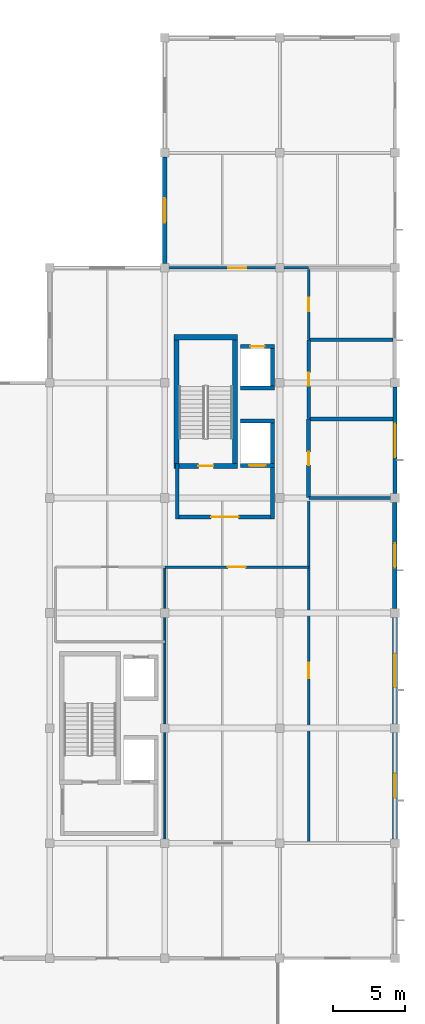
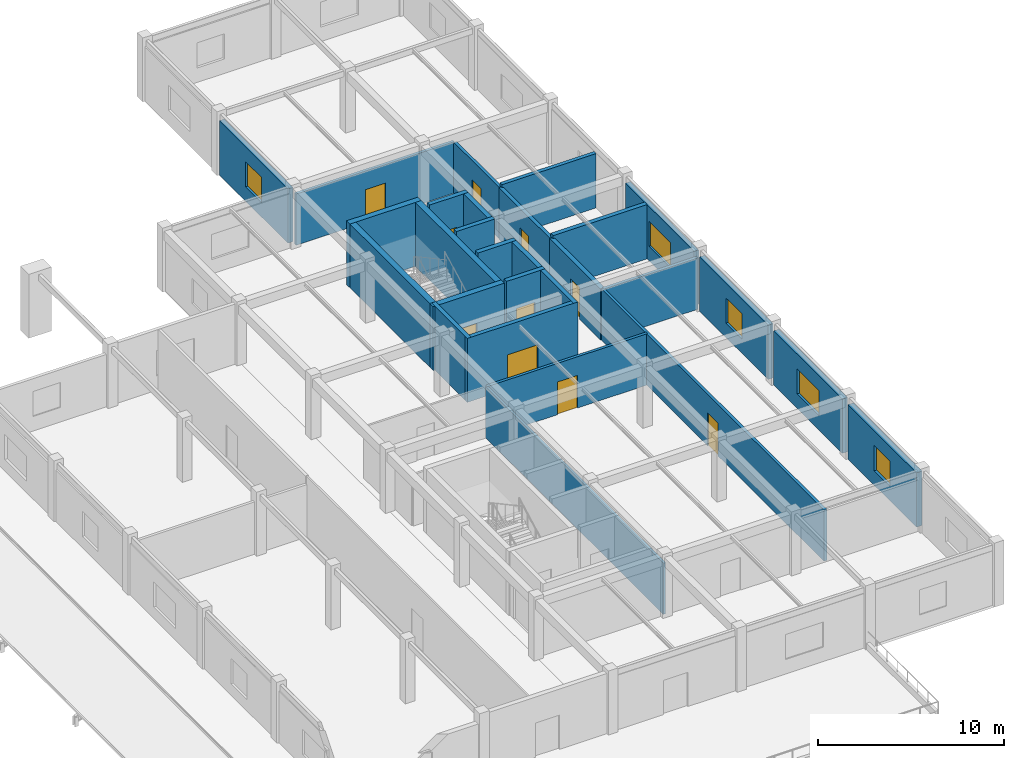
# One storey, part 17 of 27: 28 walls, 10 doors, 5 windows, 15 openings.
"""IFC4 building model written with IfcOpenShell, lengths in metres."""

from ifc_helpers import new_model, si_unit, direction, frame, frame_2d, origin, place, context, subcontext, project, spatial, rectangle, extrude, material, layer, layer_set, type_object, element, fill, save


model = new_model("IFC4")

# Units and contexts
model_context = context("Model", 3, precision=1e-05, world=origin(), true_north=direction((0.0, 1.0)))
body_context = subcontext(model_context, "Body", "Model", "MODEL_VIEW")
ifc_project = project(units=[si_unit("LENGTHUNIT", "METRE"), si_unit("AREAUNIT", "SQUARE_METRE"), si_unit("VOLUMEUNIT", "CUBIC_METRE"), si_unit("PLANEANGLEUNIT", "RADIAN"), si_unit("MASSUNIT", "GRAM", prefix="KILO")], contexts=[model_context])

# Site, building, storey
site_placement = place(None, origin())
site = spatial("IfcSite", under=ifc_project, at=site_placement, CompositionType="ELEMENT")
building_placement = place(site_placement, origin())
building = spatial("IfcBuilding", under=site, at=building_placement, Name="Kenh Van Central Station", CompositionType="ELEMENT")
storey_placement = place(building_placement, frame((0.0, 0.0, 19.199951171875)))
storey = spatial("IfcBuildingStorey", under=building, at=storey_placement, Name="L04", CompositionType="ELEMENT", Elevation=19.199951171875)

# Wall, opening, door
ifc_material_1 = material(Name="Concrete C40/50", Category="concrete")
ifc_layer_1 = layer(ifc_material_1, 0.280029296875, Name="Concrete C40/50")
ifc_layer_set_1 = layer_set([ifc_layer_1], Name="Concrete C40/50")
wall_type_1 = type_object("IfcWallType", Name="WL-CORE-280", PredefinedType="SHEAR", material=ifc_layer_set_1)
wall_1_placement = place(storey_placement, frame((165.25, 50.260009765625, 0.0), z_axis=(0.0, 0.0, 1.0), x_axis=(1.0, 0.0, 0.0)))
wall_1 = element("IfcWall", 1, at=wall_1_placement, inside=storey, type_object=wall_type_1, Name="L04 LIFT-FF2 shaft wall S", PredefinedType="SHEAR", context=body_context, shape_type="SweptSolid", body=[
    extrude(rectangle(XDim=2.3798828125, YDim=0.280029296875, at=frame_2d((1.18994140625, 0.0))), origin(), (0.0, 0.0, 1.0), 4.199951171875),
])
opening_1_placement = place(wall_1_placement, frame((0.614990234375, 0.0, 0.0)))
opening_1 = element("IfcOpeningElement", 2, at=opening_1_placement, cuts=wall_1, Name="Opening LD-FF1", PredefinedType="OPENING", context=body_context, shape_type="SweptSolid", body=[
    extrude(rectangle(XDim=1.14990234375, YDim=2.199951171875, at=frame_2d((0.574951171875, 1.10009765625))), frame((0.0, 0.14990234375, 0.0), z_axis=(0.0, -1.0, 0.0), x_axis=(1.0, 0.0, 0.0)), (0.0, 0.0, 1.0), 0.300048828125),
])
ifc_material_2 = material(Name="Champagne anodised aluminium", Category="aluminium")
door_type_1 = type_object("IfcDoorType", Name="DR-LIFT-1150x2200", OperationType="SLIDING_TO_LEFT", PredefinedType="DOOR", material=ifc_material_2)
door_1_placement = place(opening_1_placement, origin())
door_1 = element("IfcDoor", 3, at=door_1_placement, inside=storey, type_object=door_type_1, Name="L04 LIFT-FF2 sliding landing door", OperationType="SLIDING_TO_LEFT", OverallHeight=2.199951171875, OverallWidth=1.14990234375, PredefinedType="DOOR", context=body_context, shape_type="SweptSolid", body=[
    extrude(rectangle(XDim=1.14990234375, YDim=2.199951171875, at=frame_2d((0.574951171875, 1.10009765625))), frame((0.0, 0.02490234375, 0.0), z_axis=(0.0, -1.0, 0.0), x_axis=(1.0, 0.0, 0.0)), (0.0, 0.0, 1.0), 0.050048828125),
])
fill(opening_1, door_1)

# Walls
wall_2_placement = place(storey_placement, frame((165.25, 53.340087890625, 0.0), z_axis=(0.0, 0.0, 1.0), x_axis=(1.0, 0.0, 0.0)))
element("IfcWall", 4, at=wall_2_placement, inside=storey, type_object=wall_type_1, Name="L04 LIFT-FF2 shaft wall N", PredefinedType="SHEAR", context=body_context, shape_type="SweptSolid", body=[
    extrude(rectangle(XDim=2.3798828125, YDim=0.280029296875, at=frame_2d((1.18994140625, 0.0))), origin(), (0.0, 0.0, 1.0), 4.199951171875),
])
wall_3_placement = place(storey_placement, frame((167.489990234375, 50.39990234375, 0.0), z_axis=(0.0, 0.0, 1.0), x_axis=(0.0, 1.0, 0.0)))
element("IfcWall", 5, at=wall_3_placement, inside=storey, type_object=wall_type_1, Name="L04 LIFT-FF2 shaft wall E", PredefinedType="SHEAR", context=body_context, shape_type="SweptSolid", body=[
    extrude(rectangle(XDim=2.800048828125, YDim=0.280029296875, at=frame_2d((1.39990234375, 0.0))), origin(), (0.0, 0.0, 1.0), 4.199951171875),
])
wall_4_placement = place(storey_placement, frame((165.25, 55.659912109375, 0.0), z_axis=(0.0, 0.0, 1.0), x_axis=(1.0, 0.0, 0.0)))
element("IfcWall", 6, at=wall_4_placement, inside=storey, type_object=wall_type_1, Name="L04 LIFT-OP2 shaft wall S", PredefinedType="SHEAR", context=body_context, shape_type="SweptSolid", body=[
    extrude(rectangle(XDim=2.3798828125, YDim=0.280029296875, at=frame_2d((1.18994140625, 0.0))), origin(), (0.0, 0.0, 1.0), 4.199951171875),
])

# Wall, opening, door
wall_5_placement = place(storey_placement, frame((165.25, 58.5400390625, 0.0), z_axis=(0.0, 0.0, 1.0), x_axis=(1.0, 0.0, 0.0)))
wall_5 = element("IfcWall", 7, at=wall_5_placement, inside=storey, type_object=wall_type_1, Name="L04 LIFT-OP2 shaft wall N", PredefinedType="SHEAR", context=body_context, shape_type="SweptSolid", body=[
    extrude(rectangle(XDim=2.3798828125, YDim=0.280029296875, at=frame_2d((1.18994140625, 0.0))), origin(), (0.0, 0.0, 1.0), 4.199951171875),
])
opening_2_placement = place(wall_5_placement, frame((0.68994140625, 0.0, 0.0)))
opening_2 = element("IfcOpeningElement", 8, at=opening_2_placement, cuts=wall_5, Name="Opening LD-OP1", PredefinedType="OPENING", context=body_context, shape_type="SweptSolid", body=[
    extrude(rectangle(XDim=1.0, YDim=2.14990234375, at=frame_2d((0.5, 1.074951171875))), frame((0.0, 0.14990234375, 0.0), z_axis=(0.0, -1.0, 0.0), x_axis=(1.0, 0.0, 0.0)), (0.0, 0.0, 1.0), 0.300048828125),
])
door_type_2 = type_object("IfcDoorType", Name="DR-LIFT-1000x2150", OperationType="SLIDING_TO_LEFT", PredefinedType="DOOR", material=ifc_material_2)
door_2_placement = place(opening_2_placement, origin())
door_2 = element("IfcDoor", 9, at=door_2_placement, inside=storey, type_object=door_type_2, Name="L04 LIFT-OP2 sliding landing door", OperationType="SLIDING_TO_LEFT", OverallHeight=2.14990234375, OverallWidth=1.0, PredefinedType="DOOR", context=body_context, shape_type="SweptSolid", body=[
    extrude(rectangle(XDim=1.0, YDim=2.14990234375, at=frame_2d((0.5, 1.074951171875))), frame((0.0, 0.02490234375, 0.0), z_axis=(0.0, -1.0, 0.0), x_axis=(1.0, 0.0, 0.0)), (0.0, 0.0, 1.0), 0.050048828125),
])
fill(opening_2, door_2)

# Wall
wall_6_placement = place(storey_placement, frame((167.489990234375, 55.800048828125, 0.0), z_axis=(0.0, 0.0, 1.0), x_axis=(0.0, 1.0, 0.0)))
element("IfcWall", 10, at=wall_6_placement, inside=storey, type_object=wall_type_1, Name="L04 LIFT-OP2 shaft wall E", PredefinedType="SHEAR", context=body_context, shape_type="SweptSolid", body=[
    extrude(rectangle(XDim=2.599853515625, YDim=0.280029296875, at=frame_2d((1.2998046875, 0.0))), origin(), (0.0, 0.0, 1.0), 4.199951171875),
])

# Wall, opening, door
ifc_layer_2 = layer(ifc_material_1, 0.360107421875, Name="Concrete C40/50")
ifc_layer_set_2 = layer_set([ifc_layer_2], Name="Concrete C40/50")
wall_type_2 = type_object("IfcWallType", Name="WL-CORE-360", PredefinedType="SHEAR", material=ifc_layer_set_2)
wall_7_placement = place(storey_placement, frame((160.639892578125, 50.219970703125, 0.0), z_axis=(0.0, 0.0, 1.0), x_axis=(1.0, 0.0, 0.0)))
wall_7 = element("IfcWall", 11, at=wall_7_placement, inside=storey, type_object=wall_type_2, Name="L04 CORE-10 stair wall S", PredefinedType="SHEAR", context=body_context, shape_type="SweptSolid", body=[
    extrude(rectangle(XDim=4.420166015625, YDim=0.360107421875, at=frame_2d((2.2099609375, 0.0))), origin(), (0.0, 0.0, 1.0), 4.199951171875),
])
opening_3_placement = place(wall_7_placement, frame((1.68505859375, 0.0, 0.0)))
opening_3 = element("IfcOpeningElement", 12, at=opening_3_placement, cuts=wall_7, Name="Opening D-FD60", PredefinedType="OPENING", context=body_context, shape_type="SweptSolid", body=[
    extrude(rectangle(XDim=1.050048828125, YDim=2.14990234375, at=frame_2d((0.52490234375, 1.074951171875))), frame((0.0, 0.18994140625, 0.0), z_axis=(0.0, -1.0, 0.0), x_axis=(1.0, 0.0, 0.0)), (0.0, 0.0, 1.0), 0.380126953125),
])
door_type_3 = type_object("IfcDoorType", Name="DR-FIRE-1050x2150", OperationType="NOTDEFINED", PredefinedType="DOOR", material=ifc_material_2)
door_3_placement = place(opening_3_placement, origin())
door_3 = element("IfcDoor", 13, at=door_3_placement, inside=storey, type_object=door_type_3, Name="L04 ST-10 stair door", OperationType="SINGLE_SWING_RIGHT", OverallHeight=2.14990234375, OverallWidth=1.050048828125, PredefinedType="DOOR", context=body_context, shape_type="SweptSolid", body=[
    extrude(rectangle(XDim=1.050048828125, YDim=2.14990234375, at=frame_2d((0.52490234375, 1.074951171875))), frame((0.0, 0.02490234375, 0.0), z_axis=(0.0, -1.0, 0.0), x_axis=(1.0, 0.0, 0.0)), (0.0, 0.0, 1.0), 0.050048828125),
])
fill(opening_3, door_3)

# Walls
wall_8_placement = place(storey_placement, frame((160.639892578125, 59.179931640625, 0.0), z_axis=(0.0, 0.0, 1.0), x_axis=(1.0, 0.0, 0.0)))
element("IfcWall", 14, at=wall_8_placement, inside=storey, type_object=wall_type_2, Name="L04 CORE-10 stair wall N", PredefinedType="SHEAR", context=body_context, shape_type="SweptSolid", body=[
    extrude(rectangle(XDim=4.420166015625, YDim=0.360107421875, at=frame_2d((2.2099609375, 0.0))), origin(), (0.0, 0.0, 1.0), 4.199951171875),
])
for number, where, z_axis, x_axis, name in (
    (15, (160.820068359375, 50.39990234375, 0.0), (0.0, 0.0, 1.0), (0.0, 1.0, 0.0), "L04 CORE-10 stair wall W"),
    (16, (164.8798828125, 50.39990234375, 0.0), (0.0, 0.0, 1.0), (0.0, 1.0, 0.0), "L04 CORE-10 stair wall E"),
):
    element("IfcWall", number, at=place(storey_placement, frame(where, z_axis=z_axis, x_axis=x_axis)), inside=storey, type_object=wall_type_2, Name=name, PredefinedType="SHEAR", context=body_context, shape_type="SweptSolid", body=[
        extrude(rectangle(XDim=8.60009765625, YDim=0.360107421875, at=frame_2d((4.300048828125, 0.0))), origin(), (0.0, 0.0, 1.0), 4.199951171875),
    ])

# Wall, opening, window
ifc_material_3 = material(Name="Saigon buff sandstone and terracotta masonry", Category="masonry")
ifc_layer_3 = layer(ifc_material_3, 0.2900390625, Name="Saigon buff sandstone and terracotta masonry")
ifc_layer_set_3 = layer_set([ifc_layer_3], Name="Saigon buff sandstone and terracotta masonry")
wall_type_3 = type_object("IfcWallType", Name="WL-EXT-290", PredefinedType="STANDARD", material=ifc_layer_set_3)
wall_9_placement = place(storey_placement, frame((176.0, 48.300048828125, 0.0), z_axis=(0.0, 0.0, 1.0), x_axis=(0.0, 1.0, 0.0)))
wall_9 = element("IfcWall", 17, at=wall_9_placement, inside=storey, type_object=wall_type_3, Name="L04 exterior wall 140", PredefinedType="STANDARD", context=body_context, shape_type="SweptSolid", body=[
    extrude(rectangle(XDim=7.39990234375, YDim=0.2900390625, at=frame_2d((3.699951171875, 0.0))), origin(), (0.0, 0.0, 1.0), 3.570068359375),
])
opening_4_placement = place(wall_9_placement, frame((2.52490234375, 0.0, 0.949951171875)))
opening_4 = element("IfcOpeningElement", 18, at=opening_4_placement, cuts=wall_9, Name="Opening WN-20", PredefinedType="OPENING", context=body_context, shape_type="SweptSolid", body=[
    extrude(rectangle(XDim=2.35009765625, YDim=1.64990234375, at=frame_2d((1.175048828125, 0.824951171875))), frame((0.0, 0.155029296875, 0.0), z_axis=(0.0, -1.0, 0.0), x_axis=(1.0, 0.0, 0.0)), (0.0, 0.0, 1.0), 0.31005859375),
])
ifc_material_4 = material(Name="Double-glazed low-E laminated solar glass", Category="glass")
window_type_1 = type_object("IfcWindowType", Name="WN-OP04-2350x1650", PartitioningType="DOUBLE_PANEL_VERTICAL", PredefinedType="WINDOW", material=ifc_material_4)
window_1_placement = place(opening_4_placement, origin())
window_1 = element("IfcWindow", 19, at=window_1_placement, inside=storey, type_object=window_type_1, Name="L04 window 106", OverallHeight=1.64990234375, OverallWidth=2.35009765625, PartitioningType="SINGLE_PANEL", PredefinedType="WINDOW", context=body_context, shape_type="SweptSolid", body=[
    extrude(rectangle(XDim=2.35009765625, YDim=1.64990234375, at=frame_2d((1.175048828125, 0.824951171875))), frame((0.0, 0.030029296875, 0.0), z_axis=(0.0, -1.0, 0.0), x_axis=(1.0, 0.0, 0.0)), (0.0, 0.0, 1.0), 0.06005859375),
])
fill(opening_4, window_1)

ifc_layer_4 = layer(ifc_material_3, 0.31005859375, Name="Saigon buff sandstone and terracotta masonry")
ifc_layer_set_4 = layer_set([ifc_layer_4], Name="Saigon buff sandstone and terracotta masonry")
wall_type_4 = type_object("IfcWallType", Name="WL-EXT-310", PredefinedType="STANDARD", material=ifc_layer_set_4)
wall_10_placement = place(storey_placement, frame((176.0, 40.300048828125, 0.0), z_axis=(0.0, 0.0, 1.0), x_axis=(0.0, 1.0, 0.0)))
wall_10 = element("IfcWall", 20, at=wall_10_placement, inside=storey, type_object=wall_type_4, Name="L04 exterior wall 139", PredefinedType="STANDARD", context=body_context, shape_type="SweptSolid", body=[
    extrude(rectangle(XDim=7.39990234375, YDim=0.31005859375, at=frame_2d((3.699951171875, 0.0))), origin(), (0.0, 0.0, 1.0), 3.570068359375),
])
opening_5_placement = place(wall_10_placement, frame((2.85009765625, 0.0, 0.949951171875)))
opening_5 = element("IfcOpeningElement", 21, at=opening_5_placement, cuts=wall_10, Name="Opening WN-21", PredefinedType="OPENING", context=body_context, shape_type="SweptSolid", body=[
    extrude(rectangle(XDim=1.699951171875, YDim=1.64990234375, at=frame_2d((0.85009765625, 0.824951171875))), frame((0.0, 0.1650390625, 0.0), z_axis=(0.0, -1.0, 0.0), x_axis=(1.0, 0.0, 0.0)), (0.0, 0.0, 1.0), 0.330078125),
])
window_type_2 = type_object("IfcWindowType", Name="WN-OP04-1700x1650", PartitioningType="SINGLE_PANEL", PredefinedType="WINDOW", material=ifc_material_4)
window_2_placement = place(opening_5_placement, origin())
window_2 = element("IfcWindow", 22, at=window_2_placement, inside=storey, type_object=window_type_2, Name="L04 window 105", OverallHeight=1.64990234375, OverallWidth=1.699951171875, PartitioningType="SINGLE_PANEL", PredefinedType="WINDOW", context=body_context, shape_type="SweptSolid", body=[
    extrude(rectangle(XDim=1.699951171875, YDim=1.64990234375, at=frame_2d((0.85009765625, 0.824951171875))), frame((0.0, 0.030029296875, 0.0), z_axis=(0.0, -1.0, 0.0), x_axis=(1.0, 0.0, 0.0)), (0.0, 0.0, 1.0), 0.06005859375),
])
fill(opening_5, window_2)

wall_11_placement = place(storey_placement, frame((160.0, 71.699951171875, 0.0), z_axis=(0.0, 0.0, 1.0), x_axis=(0.0, -1.0, 0.0)))
wall_11 = element("IfcWall", 23, at=wall_11_placement, inside=storey, type_object=wall_type_4, Name="L04 exterior wall 147", PredefinedType="STANDARD", context=body_context, shape_type="SweptSolid", body=[
    extrude(rectangle(XDim=7.39990234375, YDim=0.31005859375, at=frame_2d((3.699951171875, 0.0))), origin(), (0.0, 0.0, 1.0), 3.570068359375),
])
opening_6_placement = place(wall_11_placement, frame((2.85009765625, 0.0, 0.949951171875)))
opening_6 = element("IfcOpeningElement", 24, at=opening_6_placement, cuts=wall_11, Name="Opening WN-21", PredefinedType="OPENING", context=body_context, shape_type="SweptSolid", body=[
    extrude(rectangle(XDim=1.699951171875, YDim=1.64990234375, at=frame_2d((0.85009765625, 0.824951171875))), frame((0.0, 0.1650390625, 0.0), z_axis=(0.0, -1.0, 0.0), x_axis=(1.0, 0.0, 0.0)), (0.0, 0.0, 1.0), 0.330078125),
])
window_3_placement = place(opening_6_placement, origin())
window_3 = element("IfcWindow", 25, at=window_3_placement, inside=storey, type_object=window_type_2, Name="L04 window 113", OverallHeight=1.64990234375, OverallWidth=1.699951171875, PartitioningType="SINGLE_PANEL", PredefinedType="WINDOW", context=body_context, shape_type="SweptSolid", body=[
    extrude(rectangle(XDim=1.699951171875, YDim=1.64990234375, at=frame_2d((0.85009765625, 0.824951171875))), frame((0.0, 0.030029296875, 0.0), z_axis=(0.0, -1.0, 0.0), x_axis=(1.0, 0.0, 0.0)), (0.0, 0.0, 1.0), 0.06005859375),
])
fill(opening_6, window_3)

ifc_layer_5 = layer(ifc_material_3, 0.330078125, Name="Saigon buff sandstone and terracotta masonry")
ifc_layer_set_5 = layer_set([ifc_layer_5], Name="Saigon buff sandstone and terracotta masonry")
wall_type_5 = type_object("IfcWallType", Name="WL-EXT-330", PredefinedType="STANDARD", material=ifc_layer_set_5)
wall_12_placement = place(storey_placement, frame((176.0, 32.300048828125, 0.0), z_axis=(0.0, 0.0, 1.0), x_axis=(0.0, 1.0, 0.0)))
wall_12 = element("IfcWall", 26, at=wall_12_placement, inside=storey, type_object=wall_type_5, Name="L04 exterior wall 138", PredefinedType="STANDARD", context=body_context, shape_type="SweptSolid", body=[
    extrude(rectangle(XDim=7.39990234375, YDim=0.330078125, at=frame_2d((3.699951171875, 0.0))), origin(), (0.0, 0.0, 1.0), 3.570068359375),
])
opening_7_placement = place(wall_12_placement, frame((2.52490234375, 0.0, 0.949951171875)))
opening_7 = element("IfcOpeningElement", 27, at=opening_7_placement, cuts=wall_12, Name="Opening WN-20", PredefinedType="OPENING", context=body_context, shape_type="SweptSolid", body=[
    extrude(rectangle(XDim=2.35009765625, YDim=1.64990234375, at=frame_2d((1.175048828125, 0.824951171875))), frame((0.0, 0.175048828125, 0.0), z_axis=(0.0, -1.0, 0.0), x_axis=(1.0, 0.0, 0.0)), (0.0, 0.0, 1.0), 0.35009765625),
])
window_4_placement = place(opening_7_placement, origin())
window_4 = element("IfcWindow", 28, at=window_4_placement, inside=storey, type_object=window_type_1, Name="L04 window 104", OverallHeight=1.64990234375, OverallWidth=2.35009765625, PartitioningType="SINGLE_PANEL", PredefinedType="WINDOW", context=body_context, shape_type="SweptSolid", body=[
    extrude(rectangle(XDim=2.35009765625, YDim=1.64990234375, at=frame_2d((1.175048828125, 0.824951171875))), frame((0.0, 0.030029296875, 0.0), z_axis=(0.0, -1.0, 0.0), x_axis=(1.0, 0.0, 0.0)), (0.0, 0.0, 1.0), 0.06005859375),
])
fill(opening_7, window_4)

ifc_layer_6 = layer(ifc_material_3, 0.35009765625, Name="Saigon buff sandstone and terracotta masonry")
ifc_layer_set_6 = layer_set([ifc_layer_6], Name="Saigon buff sandstone and terracotta masonry")
wall_type_6 = type_object("IfcWallType", Name="WL-EXT-350", PredefinedType="STANDARD", material=ifc_layer_set_6)
wall_13_placement = place(storey_placement, frame((176.0, 24.300048828125, 0.0), z_axis=(0.0, 0.0, 1.0), x_axis=(0.0, 1.0, 0.0)))
wall_13 = element("IfcWall", 29, at=wall_13_placement, inside=storey, type_object=wall_type_6, Name="L04 exterior wall 137", PredefinedType="STANDARD", context=body_context, shape_type="SweptSolid", body=[
    extrude(rectangle(XDim=7.39990234375, YDim=0.35009765625, at=frame_2d((3.699951171875, 0.0))), origin(), (0.0, 0.0, 1.0), 3.570068359375),
])
opening_8_placement = place(wall_13_placement, frame((2.85009765625, 0.0, 0.949951171875)))
opening_8 = element("IfcOpeningElement", 30, at=opening_8_placement, cuts=wall_13, Name="Opening WN-21", PredefinedType="OPENING", context=body_context, shape_type="SweptSolid", body=[
    extrude(rectangle(XDim=1.699951171875, YDim=1.64990234375, at=frame_2d((0.85009765625, 0.824951171875))), frame((0.0, 0.18505859375, 0.0), z_axis=(0.0, -1.0, 0.0), x_axis=(1.0, 0.0, 0.0)), (0.0, 0.0, 1.0), 0.3701171875),
])
window_5_placement = place(opening_8_placement, origin())
window_5 = element("IfcWindow", 31, at=window_5_placement, inside=storey, type_object=window_type_2, Name="L04 window 103", OverallHeight=1.64990234375, OverallWidth=1.699951171875, PartitioningType="SINGLE_PANEL", PredefinedType="WINDOW", context=body_context, shape_type="SweptSolid", body=[
    extrude(rectangle(XDim=1.699951171875, YDim=1.64990234375, at=frame_2d((0.85009765625, 0.824951171875))), frame((0.0, 0.030029296875, 0.0), z_axis=(0.0, -1.0, 0.0), x_axis=(1.0, 0.0, 0.0)), (0.0, 0.0, 1.0), 0.06005859375),
])
fill(opening_8, window_5)

# Wall, opening, door
ifc_layer_7 = layer(ifc_material_1, 0.260009765625, Name="Concrete C40/50")
ifc_layer_set_7 = layer_set([ifc_layer_7], Name="Concrete C40/50")
wall_type_7 = type_object("IfcWallType", Name="WL-FIRE-260", PredefinedType="SHEAR", material=ifc_layer_set_7)
wall_14_placement = place(storey_placement, frame((167.610107421875, 46.669921875, 0.0), z_axis=(0.0, 0.0, 1.0), x_axis=(-1.0, 0.0, 0.0)))
wall_14 = element("IfcWall", 32, at=wall_14_placement, inside=storey, type_object=wall_type_7, Name="L04 CORE-10 lobby wall S", PredefinedType="SHEAR", context=body_context, shape_type="SweptSolid", body=[
    extrude(rectangle(XDim=6.8701171875, YDim=0.260009765625, at=frame_2d((3.43505859375, 0.0))), origin(), (0.0, 0.0, 1.0), 4.199951171875),
])
opening_9_placement = place(wall_14_placement, frame((2.485107421875, 0.0, 0.0)))
opening_9 = element("IfcOpeningElement", 33, at=opening_9_placement, cuts=wall_14, Name="Opening D-FD60W", PredefinedType="OPENING", context=body_context, shape_type="SweptSolid", body=[
    extrude(rectangle(XDim=1.89990234375, YDim=2.25, at=frame_2d((0.949951171875, 1.125))), frame((0.0, 0.139892578125, 0.0), z_axis=(0.0, -1.0, 0.0), x_axis=(1.0, 0.0, 0.0)), (0.0, 0.0, 1.0), 0.280029296875),
])
door_type_4 = type_object("IfcDoorType", Name="DR-FIRE-1900x2250", OperationType="DOUBLE_DOOR_SINGLE_SWING", PredefinedType="DOOR", material=ifc_material_2)
door_4_placement = place(opening_9_placement, origin())
door_4 = element("IfcDoor", 34, at=door_4_placement, inside=storey, type_object=door_type_4, Name="L04 CORE-10 smoke-stop lobby door", OperationType="DOUBLE_DOOR_SINGLE_SWING", OverallHeight=2.25, OverallWidth=1.89990234375, PredefinedType="DOOR", context=body_context, shape_type="SweptSolid", body=[
    extrude(rectangle(XDim=1.89990234375, YDim=2.25, at=frame_2d((0.949951171875, 1.125))), frame((0.0, 0.02490234375, 0.0), z_axis=(0.0, -1.0, 0.0), x_axis=(1.0, 0.0, 0.0)), (0.0, 0.0, 1.0), 0.050048828125),
])
fill(opening_9, door_4)

# Walls
for number, where, z_axis, x_axis, name in (
    (35, (160.8701171875, 46.5400390625, 0.0), (0.0, 0.0, 1.0), (0.0, 1.0, 0.0), "L04 CORE-10 lobby wall W"),
    (36, (167.47998046875, 46.5400390625, 0.0), (0.0, 0.0, 1.0), (0.0, 1.0, 0.0), "L04 CORE-10 lobby wall E"),
):
    element("IfcWall", number, at=place(storey_placement, frame(where, z_axis=z_axis, x_axis=x_axis)), inside=storey, type_object=wall_type_7, Name=name, PredefinedType="SHEAR", context=body_context, shape_type="SweptSolid", body=[
        extrude(rectangle(XDim=3.85986328125, YDim=0.260009765625, at=frame_2d((1.929931640625, 0.0))), origin(), (0.0, 0.0, 1.0), 4.199951171875),
    ])
ifc_material_5 = material(Name="Lightweight acoustic masonry blockwork", Category="masonry")
ifc_layer_8 = layer(ifc_material_5, 0.135009765625, Name="Lightweight acoustic masonry blockwork")
ifc_layer_set_8 = layer_set([ifc_layer_8], Name="Lightweight acoustic masonry blockwork")
wall_type_8 = type_object("IfcWallType", Name="WL-PART-135", PredefinedType="PARTITIONING", material=ifc_layer_set_8)
wall_15_placement = place(storey_placement, frame((160.0, 24.02001953125, 0.0), z_axis=(0.0, 0.0, 1.0), x_axis=(0.0, 1.0, 0.0)))
element("IfcWall", 37, at=wall_15_placement, inside=storey, type_object=wall_type_8, Name="L04 interior wall 0192", PredefinedType="PARTITIONING", context=body_context, shape_type="SweptSolid", body=[
    extrude(rectangle(XDim=19.159912109375, YDim=0.135009765625, at=frame_2d((9.580078125, 0.0))), origin(), (0.0, 0.0, 1.0), 3.3701171875),
])

# Wall, opening, door
ifc_layer_9 = layer(ifc_material_5, 0.175048828125, Name="Lightweight acoustic masonry blockwork")
ifc_layer_set_9 = layer_set([ifc_layer_9], Name="Lightweight acoustic masonry blockwork")
wall_type_9 = type_object("IfcWallType", Name="WL-PART-175", PredefinedType="PARTITIONING", material=ifc_layer_set_9)
wall_16_placement = place(storey_placement, frame((170.0, 24.02001953125, 0.0), z_axis=(0.0, 0.0, 1.0), x_axis=(0.0, 1.0, 0.0)))
wall_16 = element("IfcWall", 38, at=wall_16_placement, inside=storey, type_object=wall_type_9, Name="L04 interior wall 0196", PredefinedType="PARTITIONING", context=body_context, shape_type="SweptSolid", body=[
    extrude(rectangle(XDim=23.9599609375, YDim=0.175048828125, at=frame_2d((11.97998046875, 0.0))), origin(), (0.0, 0.0, 1.0), 3.3701171875),
])
opening_10_placement = place(wall_16_placement, frame((11.43994140625, 0.0, 0.0)))
opening_10 = element("IfcOpeningElement", 39, at=opening_10_placement, cuts=wall_16, Name="Opening D-IN05", PredefinedType="OPENING", context=body_context, shape_type="SweptSolid", body=[
    extrude(rectangle(XDim=1.080078125, YDim=2.14990234375, at=frame_2d((0.5400390625, 1.074951171875))), frame((0.0, 0.097412109375, 0.0), z_axis=(0.0, -1.0, 0.0), x_axis=(1.0, 0.0, 0.0)), (0.0, 0.0, 1.0), 0.195068359375),
])
ifc_material_6 = material(Name="Architectural hardwood timber", Category="wood")
door_type_5 = type_object("IfcDoorType", Name="DR-INT-1080x2150", OperationType="NOTDEFINED", PredefinedType="DOOR", material=ifc_material_6)
door_5_placement = place(opening_10_placement, origin())
door_5 = element("IfcDoor", 40, at=door_5_placement, inside=storey, type_object=door_type_5, Name="L04 interior door 0107", OperationType="SINGLE_SWING_RIGHT", OverallHeight=2.14990234375, OverallWidth=1.080078125, PredefinedType="DOOR", context=body_context, shape_type="SweptSolid", body=[
    extrude(rectangle(XDim=1.080078125, YDim=2.14990234375, at=frame_2d((0.5400390625, 1.074951171875))), frame((0.0, 0.02490234375, 0.0), z_axis=(0.0, -1.0, 0.0), x_axis=(1.0, 0.0, 0.0)), (0.0, 0.0, 1.0), 0.050048828125),
])
fill(opening_10, door_5)

wall_17_placement = place(storey_placement, frame((160.1201171875, 64.0, 0.0), z_axis=(0.0, 0.0, 1.0), x_axis=(1.0, 0.0, 0.0)))
wall_17 = element("IfcWall", 41, at=wall_17_placement, inside=storey, type_object=wall_type_9, Name="L04 interior wall 0203", PredefinedType="PARTITIONING", context=body_context, shape_type="SweptSolid", body=[
    extrude(rectangle(XDim=9.85986328125, YDim=0.175048828125, at=frame_2d((4.929931640625, 0.0))), origin(), (0.0, 0.0, 1.0), 3.3701171875),
])
opening_11_placement = place(wall_17_placement, frame((4.304931640625, 0.0, 0.0)))
opening_11 = element("IfcOpeningElement", 42, at=opening_11_placement, cuts=wall_17, Name="Opening D-IN04", PredefinedType="OPENING", context=body_context, shape_type="SweptSolid", body=[
    extrude(rectangle(XDim=1.25, YDim=2.14990234375, at=frame_2d((0.625, 1.074951171875))), frame((0.0, 0.097412109375, 0.0), z_axis=(0.0, -1.0, 0.0), x_axis=(1.0, 0.0, 0.0)), (0.0, 0.0, 1.0), 0.195068359375),
])
door_type_6 = type_object("IfcDoorType", Name="DR-INT-1250x2150", OperationType="NOTDEFINED", PredefinedType="DOOR", material=ifc_material_6)
door_6_placement = place(opening_11_placement, origin())
door_6 = element("IfcDoor", 43, at=door_6_placement, inside=storey, type_object=door_type_6, Name="L04 interior door 0111", OperationType="SINGLE_SWING_RIGHT", OverallHeight=2.14990234375, OverallWidth=1.25, PredefinedType="DOOR", context=body_context, shape_type="SweptSolid", body=[
    extrude(rectangle(XDim=1.25, YDim=2.14990234375, at=frame_2d((0.625, 1.074951171875))), frame((0.0, 0.02490234375, 0.0), z_axis=(0.0, -1.0, 0.0), x_axis=(1.0, 0.0, 0.0)), (0.0, 0.0, 1.0), 0.050048828125),
])
fill(opening_11, door_6)

wall_18_placement = place(storey_placement, frame((160.02001953125, 43.199951171875, 0.0), z_axis=(0.0, 0.0, 1.0), x_axis=(1.0, 0.0, 0.0)))
wall_18 = element("IfcWall", 44, at=wall_18_placement, inside=storey, type_object=wall_type_9, Name="L04 interior wall 0210", PredefinedType="PARTITIONING", context=body_context, shape_type="SweptSolid", body=[
    extrude(rectangle(XDim=9.9599609375, YDim=0.175048828125, at=frame_2d((4.97998046875, 0.0))), origin(), (0.0, 0.0, 1.0), 3.3701171875),
])
opening_12_placement = place(wall_18_placement, frame((4.35498046875, 0.0, 0.0)))
opening_12 = element("IfcOpeningElement", 45, at=opening_12_placement, cuts=wall_18, Name="Opening D-IN04", PredefinedType="OPENING", context=body_context, shape_type="SweptSolid", body=[
    extrude(rectangle(XDim=1.25, YDim=2.14990234375, at=frame_2d((0.625, 1.074951171875))), frame((0.0, 0.097412109375, 0.0), z_axis=(0.0, -1.0, 0.0), x_axis=(1.0, 0.0, 0.0)), (0.0, 0.0, 1.0), 0.195068359375),
])
door_7_placement = place(opening_12_placement, origin())
door_7 = element("IfcDoor", 46, at=door_7_placement, inside=storey, type_object=door_type_6, Name="L04 interior door 0117", OperationType="SINGLE_SWING_RIGHT", OverallHeight=2.14990234375, OverallWidth=1.25, PredefinedType="DOOR", context=body_context, shape_type="SweptSolid", body=[
    extrude(rectangle(XDim=1.25, YDim=2.14990234375, at=frame_2d((0.625, 1.074951171875))), frame((0.0, 0.02490234375, 0.0), z_axis=(0.0, -1.0, 0.0), x_axis=(1.0, 0.0, 0.0)), (0.0, 0.0, 1.0), 0.050048828125),
])
fill(opening_12, door_7)

# Wall
ifc_layer_10 = layer(ifc_material_5, 0.18505859375, Name="Lightweight acoustic masonry blockwork")
ifc_layer_set_10 = layer_set([ifc_layer_10], Name="Lightweight acoustic masonry blockwork")
wall_type_10 = type_object("IfcWallType", Name="WL-PLMB-185", PredefinedType="PLUMBINGWALL", material=ifc_layer_set_10)
wall_19_placement = place(storey_placement, frame((170.02001953125, 48.0, 0.0), z_axis=(0.0, 0.0, 1.0), x_axis=(1.0, 0.0, 0.0)))
element("IfcWall", 47, at=wall_19_placement, inside=storey, type_object=wall_type_10, Name="L04 interior wall 0197", PredefinedType="PLUMBINGWALL", context=body_context, shape_type="SweptSolid", body=[
    extrude(rectangle(XDim=5.85986328125, YDim=0.18505859375, at=frame_2d((2.929931640625, 0.0))), origin(), (0.0, 0.0, 1.0), 3.3701171875),
])

# Wall, opening, door
wall_20_placement = place(storey_placement, frame((170.0, 59.02001953125, 0.0), z_axis=(0.0, 0.0, 1.0), x_axis=(0.0, 1.0, 0.0)))
wall_20 = element("IfcWall", 48, at=wall_20_placement, inside=storey, type_object=wall_type_10, Name="L04 interior wall 0200", PredefinedType="PLUMBINGWALL", context=body_context, shape_type="SweptSolid", body=[
    extrude(rectangle(XDim=4.85986328125, YDim=0.18505859375, at=frame_2d((2.429931640625, 0.0))), origin(), (0.0, 0.0, 1.0), 3.3701171875),
])
opening_13_placement = place(wall_20_placement, frame((1.949951171875, 0.0, 0.0)))
opening_13 = element("IfcOpeningElement", 49, at=opening_13_placement, cuts=wall_20, Name="Opening D-IN08", PredefinedType="OPENING", context=body_context, shape_type="SweptSolid", body=[
    extrude(rectangle(XDim=0.9599609375, YDim=2.10009765625, at=frame_2d((0.47998046875, 1.050048828125))), frame((0.0, 0.1025390625, 0.0), z_axis=(0.0, -1.0, 0.0), x_axis=(1.0, 0.0, 0.0)), (0.0, 0.0, 1.0), 0.205078125),
])
door_type_7 = type_object("IfcDoorType", Name="DR-INT-960x2100", OperationType="NOTDEFINED", PredefinedType="DOOR", material=ifc_material_6)
door_8_placement = place(opening_13_placement, origin())
door_8 = element("IfcDoor", 50, at=door_8_placement, inside=storey, type_object=door_type_7, Name="L04 interior door 0110", OperationType="SINGLE_SWING_LEFT", OverallHeight=2.10009765625, OverallWidth=0.9599609375, PredefinedType="DOOR", context=body_context, shape_type="SweptSolid", body=[
    extrude(rectangle(XDim=0.9599609375, YDim=2.10009765625, at=frame_2d((0.47998046875, 1.050048828125))), frame((0.0, 0.02490234375, 0.0), z_axis=(0.0, -1.0, 0.0), x_axis=(1.0, 0.0, 0.0)), (0.0, 0.0, 1.0), 0.050048828125),
])
fill(opening_13, door_8)

ifc_layer_11 = layer(ifc_material_5, 0.22998046875, Name="Lightweight acoustic masonry blockwork")
ifc_layer_set_11 = layer_set([ifc_layer_11], Name="Lightweight acoustic masonry blockwork")
wall_type_11 = type_object("IfcWallType", Name="WL-PLMB-230", PredefinedType="PLUMBINGWALL", material=ifc_layer_set_11)
wall_21_placement = place(storey_placement, frame((170.0, 53.52001953125, 0.0), z_axis=(0.0, 0.0, 1.0), x_axis=(0.0, 1.0, 0.0)))
wall_21 = element("IfcWall", 51, at=wall_21_placement, inside=storey, type_object=wall_type_11, Name="L04 interior wall 0199", PredefinedType="PLUMBINGWALL", context=body_context, shape_type="SweptSolid", body=[
    extrude(rectangle(XDim=5.4599609375, YDim=0.22998046875, at=frame_2d((2.72998046875, 0.0))), origin(), (0.0, 0.0, 1.0), 3.3701171875),
])
opening_14_placement = place(wall_21_placement, frame((2.27001953125, 0.0, 0.0)))
opening_14 = element("IfcOpeningElement", 52, at=opening_14_placement, cuts=wall_21, Name="Opening D-IN09", PredefinedType="OPENING", context=body_context, shape_type="SweptSolid", body=[
    extrude(rectangle(XDim=0.919921875, YDim=2.10009765625, at=frame_2d((0.4599609375, 1.050048828125))), frame((0.0, 0.125, 0.0), z_axis=(0.0, -1.0, 0.0), x_axis=(1.0, 0.0, 0.0)), (0.0, 0.0, 1.0), 0.25),
])
door_type_8 = type_object("IfcDoorType", Name="DR-INT-920x2100", OperationType="NOTDEFINED", PredefinedType="DOOR", material=ifc_material_6)
door_9_placement = place(opening_14_placement, origin())
door_9 = element("IfcDoor", 53, at=door_9_placement, inside=storey, type_object=door_type_8, Name="L04 interior door 0109", OperationType="SINGLE_SWING_RIGHT", OverallHeight=2.10009765625, OverallWidth=0.919921875, PredefinedType="DOOR", context=body_context, shape_type="SweptSolid", body=[
    extrude(rectangle(XDim=0.919921875, YDim=2.10009765625, at=frame_2d((0.4599609375, 1.050048828125))), frame((0.0, 0.02490234375, 0.0), z_axis=(0.0, -1.0, 0.0), x_axis=(1.0, 0.0, 0.0)), (0.0, 0.0, 1.0), 0.050048828125),
])
fill(opening_14, door_9)

# Wall
wall_22_placement = place(storey_placement, frame((170.02001953125, 59.0, 0.0), z_axis=(0.0, 0.0, 1.0), x_axis=(1.0, 0.0, 0.0)))
element("IfcWall", 54, at=wall_22_placement, inside=storey, type_object=wall_type_11, Name="L04 interior wall 0202", PredefinedType="PLUMBINGWALL", context=body_context, shape_type="SweptSolid", body=[
    extrude(rectangle(XDim=5.85986328125, YDim=0.22998046875, at=frame_2d((2.929931640625, 0.0))), origin(), (0.0, 0.0, 1.0), 3.570068359375),
])

# Wall, opening, door
ifc_layer_12 = layer(ifc_material_5, 0.27001953125, Name="Lightweight acoustic masonry blockwork")
ifc_layer_set_12 = layer_set([ifc_layer_12], Name="Lightweight acoustic masonry blockwork")
wall_type_12 = type_object("IfcWallType", Name="WL-PLMB-270", PredefinedType="PLUMBINGWALL", material=ifc_layer_set_12)
wall_23_placement = place(storey_placement, frame((170.0, 48.02001953125, 0.0), z_axis=(0.0, 0.0, 1.0), x_axis=(0.0, 1.0, 0.0)))
wall_23 = element("IfcWall", 55, at=wall_23_placement, inside=storey, type_object=wall_type_12, Name="L04 interior wall 0198", PredefinedType="PLUMBINGWALL", context=body_context, shape_type="SweptSolid", body=[
    extrude(rectangle(XDim=5.4599609375, YDim=0.27001953125, at=frame_2d((2.72998046875, 0.0))), origin(), (0.0, 0.0, 1.0), 3.3701171875),
])
opening_15_placement = place(wall_23_placement, frame((2.27001953125, 0.0, 0.0)))
opening_15 = element("IfcOpeningElement", 56, at=opening_15_placement, cuts=wall_23, Name="Opening D-IN09", PredefinedType="OPENING", context=body_context, shape_type="SweptSolid", body=[
    extrude(rectangle(XDim=0.919921875, YDim=2.10009765625, at=frame_2d((0.4599609375, 1.050048828125))), frame((0.0, 0.14501953125, 0.0), z_axis=(0.0, -1.0, 0.0), x_axis=(1.0, 0.0, 0.0)), (0.0, 0.0, 1.0), 0.2900390625),
])
door_10_placement = place(opening_15_placement, origin())
door_10 = element("IfcDoor", 57, at=door_10_placement, inside=storey, type_object=door_type_8, Name="L04 interior door 0108", OperationType="SINGLE_SWING_LEFT", OverallHeight=2.10009765625, OverallWidth=0.919921875, PredefinedType="DOOR", context=body_context, shape_type="SweptSolid", body=[
    extrude(rectangle(XDim=0.919921875, YDim=2.10009765625, at=frame_2d((0.4599609375, 1.050048828125))), frame((0.0, 0.02490234375, 0.0), z_axis=(0.0, -1.0, 0.0), x_axis=(1.0, 0.0, 0.0)), (0.0, 0.0, 1.0), 0.050048828125),
])
fill(opening_15, door_10)

# Wall
wall_24_placement = place(storey_placement, frame((170.02001953125, 53.5, 0.0), z_axis=(0.0, 0.0, 1.0), x_axis=(1.0, 0.0, 0.0)))
element("IfcWall", 58, at=wall_24_placement, inside=storey, type_object=wall_type_12, Name="L04 interior wall 0201", PredefinedType="PLUMBINGWALL", context=body_context, shape_type="SweptSolid", body=[
    extrude(rectangle(XDim=5.85986328125, YDim=0.27001953125, at=frame_2d((2.929931640625, 0.0))), origin(), (0.0, 0.0, 1.0), 3.570068359375),
])

save(model, "model.ifc")
